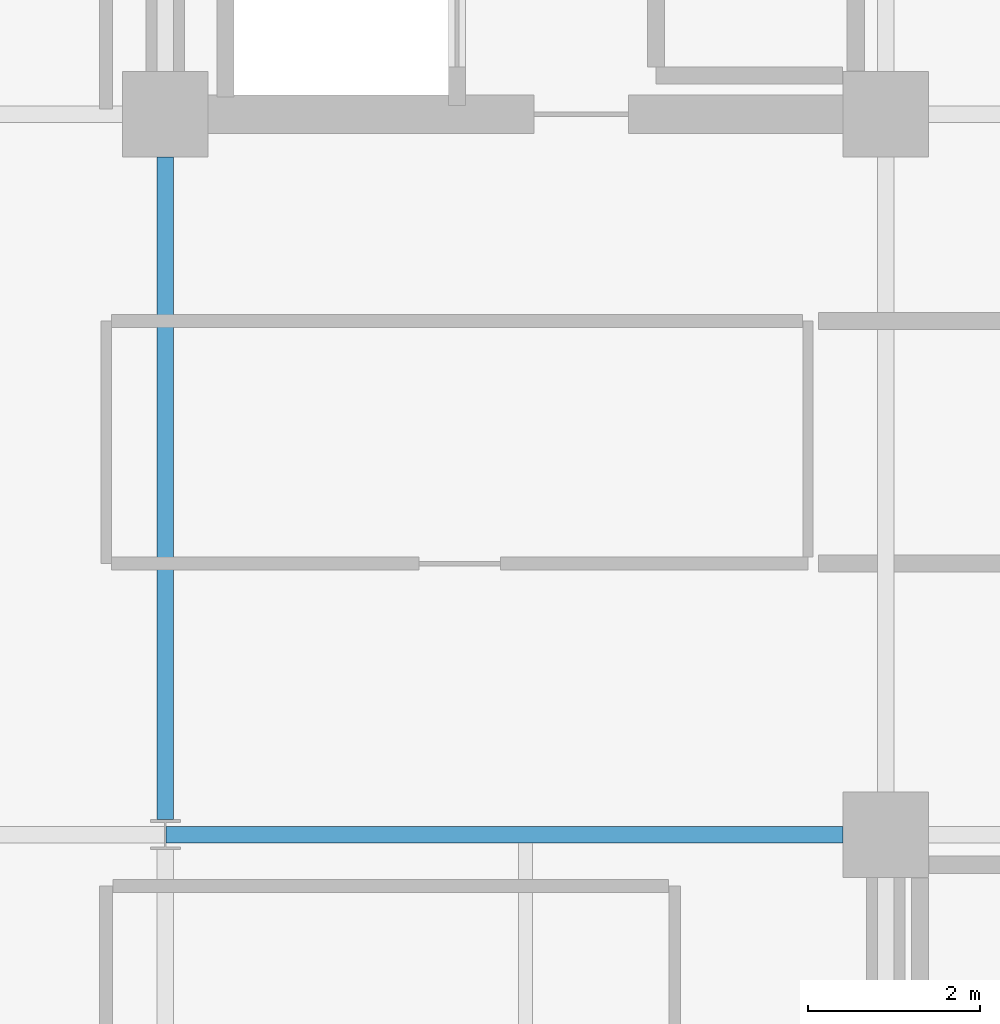
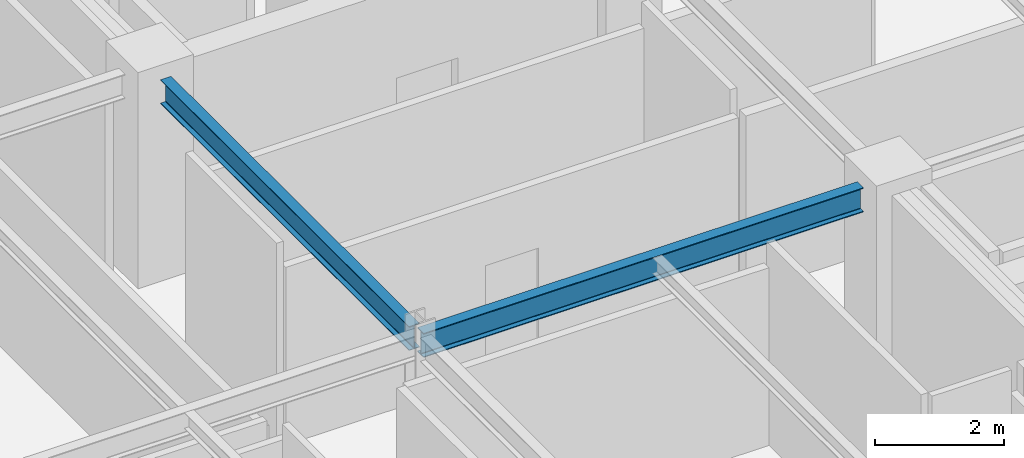
# One storey, part 9 of 26: 2 beams.
"""IFC4 building model written with IfcOpenShell, lengths in metres."""

from ifc_helpers import new_model, si_unit, direction, frame, origin, origin_2d, place, context, subcontext, project, spatial, i_section, extrude, material, material_profile, profile_set, type_object, element, save


model = new_model("IFC4")

# Units and contexts
model_context = context("Model", 3, precision=1e-05, world=origin(), true_north=direction((0.0, 1.0)))
body_context = subcontext(model_context, "Body", "Model", "MODEL_VIEW")
ifc_project = project(units=[si_unit("LENGTHUNIT", "METRE"), si_unit("AREAUNIT", "SQUARE_METRE"), si_unit("VOLUMEUNIT", "CUBIC_METRE"), si_unit("PLANEANGLEUNIT", "RADIAN"), si_unit("MASSUNIT", "GRAM", prefix="KILO")], contexts=[model_context])

# Site, building, storey
site_placement = place(None, origin())
site = spatial("IfcSite", under=ifc_project, at=site_placement, CompositionType="ELEMENT")
building_placement = place(site_placement, origin())
building = spatial("IfcBuilding", under=site, at=building_placement, Name="Nerrivon Quay Data Exchange", CompositionType="ELEMENT")
storey_placement = place(building_placement, frame((0.0, 0.0, 228.800048828125)))
storey = spatial("IfcBuildingStorey", under=building, at=storey_placement, Name="L54", CompositionType="ELEMENT", Elevation=228.800048828125)

# Beams
ifc_material = material(Name="Steel Grade 350", Category="steel")
ifc_material_profile_1 = material_profile(ifc_material, i_section(OverallWidth=0.19091796875, OverallDepth=0.4599609375, WebThickness=0.010009765625, FlangeThickness=0.01611328125, FilletRadius=0.011474609375, at=origin_2d()), Name="460UB82.1")
ifc_profile_set_1 = profile_set([ifc_material_profile_1], Name="Steel Grade 350")
beam_type_1 = type_object("IfcBeamType", Name="BM-G5-460UB82", PredefinedType="BEAM", material=ifc_profile_set_1)
beam_1_placement = place(storey_placement, frame((8.409912109375, 16.800048828125, 3.594970703125), z_axis=(1.0, 0.0, 0.0), x_axis=(0.0, 1.0, 0.0)))
element("IfcBeam", 1, at=beam_1_placement, inside=storey, type_object=beam_type_1, Name="L54 EW Girder Y=16.8 (8.4..16.8)", PredefinedType="BEAM", context=body_context, shape_type="SweptSolid", body=[
    extrude(i_section(OverallWidth=0.19091796875, OverallDepth=0.4599609375, WebThickness=0.010009765625, FlangeThickness=0.01611328125, FilletRadius=0.011474609375, at=origin_2d()), origin(), (0.0, 0.0, 1.0), 7.89013671875),
])
ifc_material_profile_2 = material_profile(ifc_material, i_section(OverallWidth=0.18994140625, OverallDepth=0.4541015625, WebThickness=0.008544921875, FlangeThickness=0.0126953125, FilletRadius=0.011474609375, at=origin_2d()), Name="460UB67.1")
ifc_profile_set_2 = profile_set([ifc_material_profile_2], Name="Steel Grade 350")
beam_type_2 = type_object("IfcBeamType", Name="BM-G6-460UB67", PredefinedType="BEAM", material=ifc_profile_set_2)
beam_2_placement = place(storey_placement, frame((8.39990234375, 16.97509765625, 3.597900390625), z_axis=(0.0, 1.0, 0.0), x_axis=(-1.0, 0.0, 0.0)))
element("IfcBeam", 2, at=beam_2_placement, inside=storey, type_object=beam_type_2, Name="L54 NS Girder X=8.4 (16.8..25.2)", PredefinedType="BEAM", context=body_context, shape_type="SweptSolid", body=[
    extrude(i_section(OverallWidth=0.18994140625, OverallDepth=0.4541015625, WebThickness=0.008544921875, FlangeThickness=0.0126953125, FilletRadius=0.011474609375, at=origin_2d()), origin(), (0.0, 0.0, 1.0), 7.724853515625),
])

save(model, "model.ifc")
